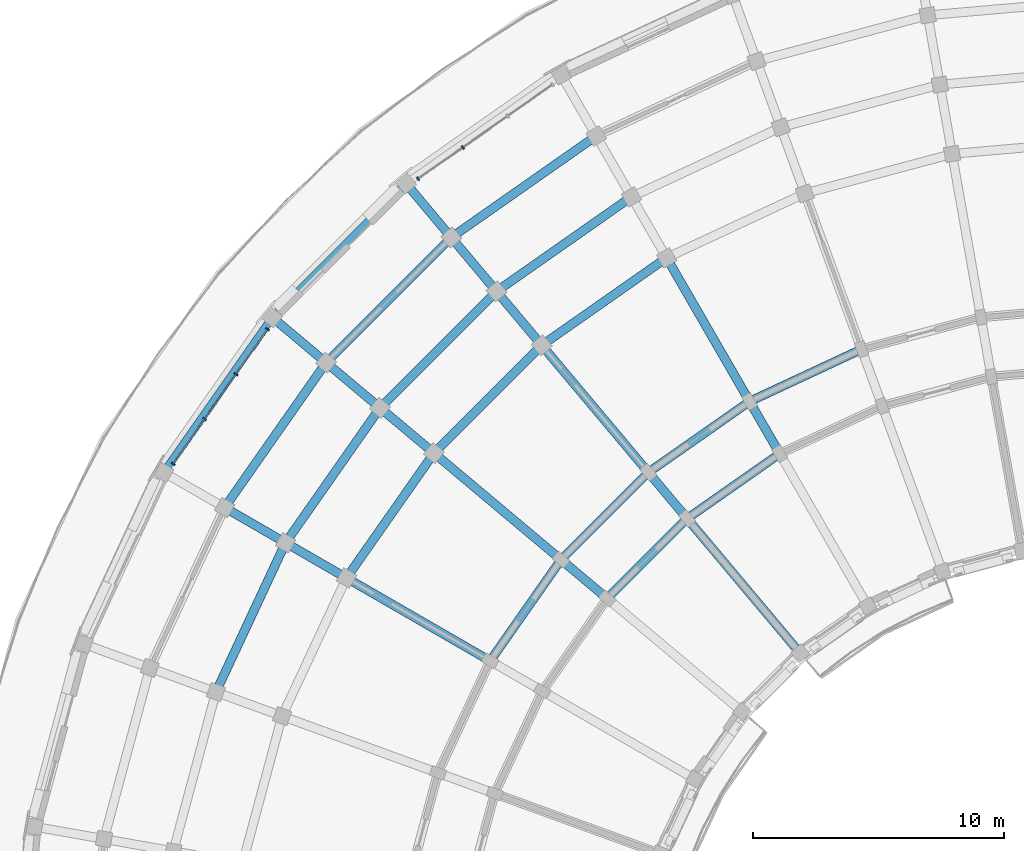
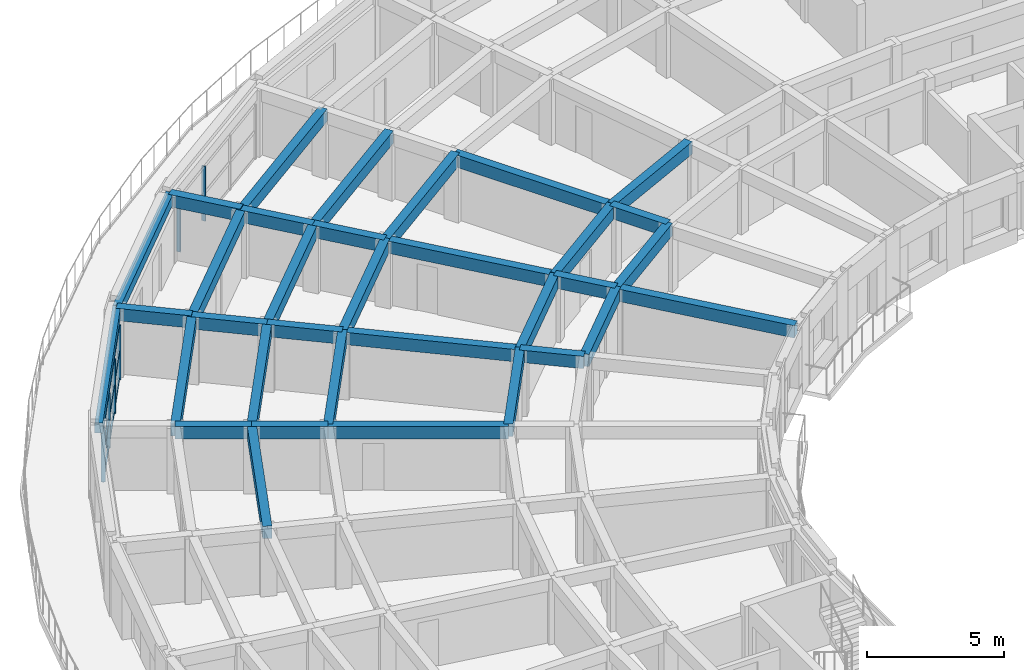
# One storey, part 4 of 32: 34 beams, 9 members, 2 elements without a shape of their own.
"""IFC4 building model written with IfcOpenShell, lengths in metres."""

import ifcopenshell
import ifcopenshell.guid

model = None  # the IFC model being written
_history = None  # IfcOwnerHistory: only IFC2X3 demands one
_inside = {}  # id of a spatial element -> (the spatial element, [elements in it])
_under = {}  # id of a project, library or spatial element -> (it, [spatial elements below it])
_declared = {}  # id of a project -> (the project, [libraries it declares])
_typed = {}  # id of a type object -> (the type object, [elements of that type])
_made_of = {}  # id of a material, layer set ... -> (it, [elements and type objects made of it])


def new_model(schema):
    """Start an empty IFC model of exactly this schema.

    Asked for "IFC4X3", IfcOpenShell would pick the latest addendum, in which some entities
    have other attributes; the version numbers below select the first issue.
    IFC2X3 requires an IfcOwnerHistory on every rooted entity: one is made here for all.
    """
    global model, _history
    if schema == "IFC4X3":
        model = ifcopenshell.file(schema_version=(4, 3, 0, 0))
    else:
        model = ifcopenshell.file(schema=schema)
    _inside.clear()
    _under.clear()
    _declared.clear()
    _typed.clear()
    _made_of.clear()
    _history = None
    if model.schema == "IFC2X3":
        org = make("IfcOrganization", Name="unknown")
        user = make(
            "IfcPersonAndOrganization",
            ThePerson=make("IfcPerson", FamilyName="unknown"),
            TheOrganization=org,
        )
        app = make(
            "IfcApplication",
            ApplicationDeveloper=org,
            Version="unknown",
            ApplicationFullName="unknown",
            ApplicationIdentifier="unknown",
        )
        _history = make(
            "IfcOwnerHistory",
            OwningUser=user,
            OwningApplication=app,
            ChangeAction="ADDED",
            CreationDate=0,
        )
    return model


def make(cls, **values):
    """One entity of the class cls with the attributes given. An attribute that is None is left unset."""
    return model.create_entity(
        cls, **{name: value for name, value in values.items() if value is not None}
    )


def rooted(cls, **values):
    """An entity with a GlobalId (a new one), such as an element, a storey or a relation."""
    return make(cls, GlobalId=ifcopenshell.guid.new(), OwnerHistory=_history, **values)


def si_unit(unit_type, name, prefix=None):
    """IfcSIUnit, for example si_unit("LENGTHUNIT", "METRE", prefix="MILLI")."""
    return make("IfcSIUnit", UnitType=unit_type, Prefix=prefix, Name=name)


def assignment(units):
    """IfcUnitAssignment: the units of a project."""
    return None if units is None else make("IfcUnitAssignment", Units=units)


def point(xyz):
    """IfcCartesianPoint."""
    return None if xyz is None else make("IfcCartesianPoint", Coordinates=xyz)


def direction(xyz):
    """IfcDirection."""
    return None if xyz is None else make("IfcDirection", DirectionRatios=xyz)


def frame(location, z_axis=None, x_axis=None):
    """IfcAxis2Placement3D, a coordinate frame: its origin and axes. An axis left out is left unset."""
    return make(
        "IfcAxis2Placement3D",
        Location=point(location),
        Axis=direction(z_axis),
        RefDirection=direction(x_axis),
    )


def frame_2d(location, x_axis=None):
    """IfcAxis2Placement2D, a coordinate frame in the plane: its origin and x axis."""
    return make(
        "IfcAxis2Placement2D", Location=point(location), RefDirection=direction(x_axis)
    )


def origin():
    """The frame at (0, 0, 0) with its axes left unset."""
    return frame((0.0, 0.0, 0.0))


def origin_2d():
    """The frame at (0, 0) in the plane with its x axis left unset."""
    return frame_2d((0.0, 0.0))


def place(relative_to, where):
    """IfcLocalPlacement: puts the frame where relative to a parent placement (None: the world)."""
    return make(
        "IfcLocalPlacement", PlacementRelTo=relative_to, RelativePlacement=where
    )


def context(
    kind, dimensions, precision=None, world=None, true_north=None, identifier=None
):
    """IfcGeometricRepresentationContext, for example the 3D "Model" context."""
    return make(
        "IfcGeometricRepresentationContext",
        ContextIdentifier=identifier,
        ContextType=kind,
        CoordinateSpaceDimension=dimensions,
        Precision=precision,
        WorldCoordinateSystem=world,
        TrueNorth=true_north,
    )


def subcontext(parent, identifier, kind, view, scale=None):
    """IfcGeometricRepresentationSubContext, for example "Body" below "Model"."""
    return make(
        "IfcGeometricRepresentationSubContext",
        ContextIdentifier=identifier,
        ContextType=kind,
        ParentContext=parent,
        TargetScale=scale,
        TargetView=view,
    )


def project(units=None, contexts=None):
    """IfcProject with its units and contexts."""
    return rooted(
        "IfcProject",
        Name="project",
        RepresentationContexts=contexts,
        UnitsInContext=assignment(units),
    )


def spatial(cls, under=None, at=None, **own):
    """A site, building, storey or space (cls), placed at a placement, below another one or the project."""
    s = rooted(cls, ObjectPlacement=at, **own)
    if under is not None:
        _under.setdefault(under.id(), (under, []))[1].append(s)
    return s


def profile(cls, at=None, kind="AREA", **sizes):
    """A parametric profile (cls). Its sizes go by their IFC names, for example OverallWidth=200.0."""
    return make(cls, ProfileType=kind, Position=at, **sizes)


def rectangle(**sizes):
    """IfcRectangleProfileDef."""
    return profile("IfcRectangleProfileDef", **sizes)


def extrude(swept, where, along, depth):
    """IfcExtrudedAreaSolid: the profile swept, set in the frame where, extruded along a direction by depth."""
    return make(
        "IfcExtrudedAreaSolid",
        SweptArea=swept,
        Position=where,
        ExtrudedDirection=direction(along),
        Depth=depth,
    )


def shape(context_of_items, identifier, shape_type, items):
    """IfcShapeRepresentation: the items that make up one representation, for example the "Body"."""
    return make(
        "IfcShapeRepresentation",
        ContextOfItems=context_of_items,
        RepresentationIdentifier=identifier,
        RepresentationType=shape_type,
        Items=items,
    )


def material(Name=None, Category=None):
    """IfcMaterial."""
    return make("IfcMaterial", Name=Name, Category=Category)


def material_profile(
    of_material, cross_section, Name=None, Category=None, Priority=None
):
    """IfcMaterialProfile: a cross section and its material."""
    return make(
        "IfcMaterialProfile",
        Name=Name,
        Material=of_material,
        Profile=cross_section,
        Priority=Priority,
        Category=Category,
    )


def profile_set(profiles, Name=None, composite=None):
    """IfcMaterialProfileSet."""
    return make(
        "IfcMaterialProfileSet",
        Name=Name,
        MaterialProfiles=profiles,
        CompositeProfile=composite,
    )


def made_of(thing, what):
    """Note that an element or type object is made of a material, layer set ...; save() writes the relation."""
    if what is not None:
        _made_of.setdefault(what.id(), (what, []))[1].append(thing)
    return thing


def type_object(cls, material=None, **own):
    """A type object (cls), such as IfcWallType, which elements share."""
    return made_of(rooted(cls, **own), material)


def element(
    cls,
    number,
    at=None,
    inside=None,
    cuts=None,
    type_object=None,
    material=None,
    context=None,
    identifier="Body",
    shape_type=None,
    held_by="IfcProductDefinitionShape",
    body=None,
    shapes=None,
    **own,
):
    """One element of the class cls, such as IfcWall. Its Tag is "e" and its number.

    at: its placement. inside: the storey or other place that contains it. cuts: it is an
    opening in that element (IfcRelVoidsElement). A single representation is given by context,
    identifier, shape_type and body (its items); several are given by shapes. held_by: the class
    of the entity that holds the representations. save() writes the other relations.
    """
    e = rooted(cls, Tag="e%d" % number, ObjectPlacement=at, **own)
    if body is not None:
        shapes = [shape(context, identifier, shape_type, body)]
    if shapes is not None:
        e.Representation = make(held_by, Representations=shapes)
    if inside is not None:
        _inside.setdefault(inside.id(), (inside, []))[1].append(e)
    if cuts is not None:
        rooted(
            "IfcRelVoidsElement", RelatingBuildingElement=cuts, RelatedOpeningElement=e
        )
    if type_object is not None:
        _typed.setdefault(type_object.id(), (type_object, []))[1].append(e)
    return made_of(e, material)


def aggregate(whole, parts):
    """IfcRelAggregates: a whole, such as a stair, and the parts it consists of."""
    return rooted("IfcRelAggregates", RelatingObject=whole, RelatedObjects=parts)


def save(model, path):
    """Write the relations noted so far, then the file.

    IfcRelAggregates (storeys below a building ...), IfcRelContainedInSpatialStructure (elements
    in a storey), IfcRelDefinesByType, IfcRelAssociatesMaterial and IfcRelDeclares: one each for
    every whole, place, type object, material and project.
    """
    for whole, parts in _under.values():
        aggregate(whole, parts)
    for where, things in _inside.values():
        rooted(
            "IfcRelContainedInSpatialStructure",
            RelatedElements=things,
            RelatingStructure=where,
        )
    for kind, things in _typed.values():
        rooted("IfcRelDefinesByType", RelatedObjects=things, RelatingType=kind)
    for what, things in _made_of.values():
        rooted("IfcRelAssociatesMaterial", RelatedObjects=things, RelatingMaterial=what)
    for by, libraries in _declared.values():
        rooted("IfcRelDeclares", RelatingContext=by, RelatedDefinitions=libraries)
    model.write(path)


model = new_model("IFC4")

# Units and contexts
model_context = context("Model", 3, precision=1e-05, world=origin(), true_north=direction((0.0, 1.0)))
body_context = subcontext(model_context, "Body", "Model", "MODEL_VIEW")
ifc_project = project(units=[si_unit("LENGTHUNIT", "METRE"), si_unit("AREAUNIT", "SQUARE_METRE"), si_unit("VOLUMEUNIT", "CUBIC_METRE"), si_unit("PLANEANGLEUNIT", "RADIAN"), si_unit("MASSUNIT", "GRAM", prefix="KILO")], contexts=[model_context])

# Site, building, storey
site_placement = place(None, origin())
site = spatial("IfcSite", under=ifc_project, at=site_placement, CompositionType="ELEMENT")
building_placement = place(site_placement, origin())
building = spatial("IfcBuilding", under=site, at=building_placement, Name="Kiranvali Square Residences", CompositionType="ELEMENT")
storey_placement = place(building_placement, frame((0.0, 0.0, 40.199951171875)))
storey = spatial("IfcBuildingStorey", under=building, at=storey_placement, Name="L12", CompositionType="ELEMENT", Elevation=40.199951171875)

# Beams
ifc_material_1 = material(Name="Concrete M40 (40 MPa)", Category="concrete")
ifc_material_profile_1 = material_profile(ifc_material_1, rectangle(XDim=0.35009765625, YDim=0.550048828125, at=origin_2d()), Name="RC 350x550")
ifc_profile_set_1 = profile_set([ifc_material_profile_1], Name="Concrete M40 (40 MPa)")
beam_type_1 = type_object("IfcBeamType", Name="BM-M40-350x550", PredefinedType="BEAM", material=ifc_profile_set_1)
beam_1_placement = place(storey_placement, frame((38.554931640625, 114.29931640625, 2.655029296875), z_axis=(-0.906302381024, -0.422629854778, 0.0), x_axis=(0.422629854778, -0.906302381024, 0.0)))
element("IfcBeam", 1, at=beam_1_placement, inside=storey, type_object=beam_type_1, Name="L12 beam BM-A-L12-C02-R2", PredefinedType="BEAM", context=body_context, shape_type="SweptSolid", body=[
    extrude(rectangle(XDim=0.35009765625, YDim=0.550048828125, at=origin_2d()), origin(), (0.0, 0.0, 1.0), 4.915283203125),
])
beam_2_placement = place(storey_placement, frame((35.300048828125, 110.1435546875, 2.655029296875), z_axis=(-0.819155404658, -0.573571637217, 0.0), x_axis=(0.573571637217, -0.819155404658, 0.0)))
element("IfcBeam", 2, at=beam_2_placement, inside=storey, type_object=beam_type_1, Name="L12 beam BM-A-L12-C03-R1", PredefinedType="BEAM", context=body_context, shape_type="SweptSolid", body=[
    extrude(rectangle(XDim=0.35009765625, YDim=0.550048828125, at=origin_2d()), origin(), (0.0, 0.0, 1.0), 4.497314453125),
])
beam_3_placement = place(storey_placement, frame((34.10009765625, 112.221923828125, 2.655029296875), z_axis=(-0.819140911474, -0.573592335331, 0.0), x_axis=(0.573592335331, -0.819140911474, 0.0)))
element("IfcBeam", 3, at=beam_3_placement, inside=storey, type_object=beam_type_1, Name="L12 beam BM-A-L12-C03-R2", PredefinedType="BEAM", context=body_context, shape_type="SweptSolid", body=[
    extrude(rectangle(XDim=0.35009765625, YDim=0.550048828125, at=origin_2d()), origin(), (0.0, 0.0, 1.0), 4.915771484375),
])
beam_4_placement = place(storey_placement, frame((30.800048828125, 117.937744140625, 2.655029296875), z_axis=(-0.81913926159, -0.573594691504, 0.0), x_axis=(0.573594691504, -0.81913926159, 0.0)))
element("IfcBeam", 4, at=beam_4_placement, inside=storey, type_object=beam_type_1, Name="L12 beam BM-A-L12-C03-R3", PredefinedType="BEAM", context=body_context, shape_type="SweptSolid", body=[
    extrude(rectangle(XDim=0.35009765625, YDim=0.550048828125, at=origin_2d()), origin(), (0.0, 0.0, 1.0), 6.066162109375),
])
beam_5_placement = place(storey_placement, frame((29.39990234375, 120.362548828125, 2.655029296875), z_axis=(-0.819144409176, -0.573587340268, 0.0), x_axis=(0.573587340268, -0.819144409176, 0.0)))
element("IfcBeam", 5, at=beam_5_placement, inside=storey, type_object=beam_type_1, Name="L12 beam BM-A-L12-C03-R4", PredefinedType="BEAM", context=body_context, shape_type="SweptSolid", body=[
    extrude(rectangle(XDim=0.35009765625, YDim=0.550048828125, at=origin_2d()), origin(), (0.0, 0.0, 1.0), 6.553955078125),
])
beam_6_placement = place(storey_placement, frame((28.0, 122.787353515625, 2.655029296875), z_axis=(-0.819160249246, -0.57356471828, 0.0), x_axis=(0.57356471828, -0.819160249246, 0.0)))
element("IfcBeam", 6, at=beam_6_placement, inside=storey, type_object=beam_type_1, Name="L12 beam BM-A-L12-C03-R5", PredefinedType="BEAM", context=body_context, shape_type="SweptSolid", body=[
    extrude(rectangle(XDim=0.35009765625, YDim=0.550048828125, at=origin_2d()), origin(), (0.0, 0.0, 1.0), 7.0419921875),
])
beam_7_placement = place(storey_placement, frame((31.615966796875, 107.56396484375, 2.655029296875), z_axis=(-0.707106781187, -0.707106781187, 0.0), x_axis=(0.707106781187, -0.707106781187, 0.0)))
element("IfcBeam", 7, at=beam_7_placement, inside=storey, type_object=beam_type_1, Name="L12 beam BM-A-L12-C04-R1", PredefinedType="BEAM", context=body_context, shape_type="SweptSolid", body=[
    extrude(rectangle(XDim=0.35009765625, YDim=0.550048828125, at=origin_2d()), origin(), (0.0, 0.0, 1.0), 4.4970703125),
])
beam_8_placement = place(storey_placement, frame((30.073486328125, 109.40234375, 2.655029296875), z_axis=(-0.707106781187, -0.707106781187, 0.0), x_axis=(0.707106781187, -0.707106781187, 0.0)))
element("IfcBeam", 8, at=beam_8_placement, inside=storey, type_object=beam_type_1, Name="L12 beam BM-A-L12-C04-R2", PredefinedType="BEAM", context=body_context, shape_type="SweptSolid", body=[
    extrude(rectangle(XDim=0.35009765625, YDim=0.550048828125, at=origin_2d()), origin(), (0.0, 0.0, 1.0), 4.91552734375),
])
beam_9_placement = place(storey_placement, frame((25.8310546875, 114.458251953125, 2.655029296875), z_axis=(-0.707106781187, -0.707106781187, 0.0), x_axis=(0.707106781187, -0.707106781187, 0.0)))
element("IfcBeam", 9, at=beam_9_placement, inside=storey, type_object=beam_type_1, Name="L12 beam BM-A-L12-C04-R3", PredefinedType="BEAM", context=body_context, shape_type="SweptSolid", body=[
    extrude(rectangle(XDim=0.35009765625, YDim=0.550048828125, at=origin_2d()), origin(), (0.0, 0.0, 1.0), 6.06591796875),
])
beam_10_placement = place(storey_placement, frame((24.03125, 116.603271484375, 2.655029296875), z_axis=(-0.707106781187, -0.707106781187, 0.0), x_axis=(0.707106781187, -0.707106781187, 0.0)))
element("IfcBeam", 10, at=beam_10_placement, inside=storey, type_object=beam_type_1, Name="L12 beam BM-A-L12-C04-R4", PredefinedType="BEAM", context=body_context, shape_type="SweptSolid", body=[
    extrude(rectangle(XDim=0.35009765625, YDim=0.550048828125, at=origin_2d()), origin(), (0.0, 0.0, 1.0), 6.55419921875),
])
beam_11_placement = place(storey_placement, frame((22.2314453125, 118.748291015625, 2.655029296875), z_axis=(-0.707106781187, -0.707106781187, 0.0), x_axis=(0.707106781187, -0.707106781187, 0.0)))
element("IfcBeam", 11, at=beam_11_placement, inside=storey, type_object=beam_type_1, Name="L12 beam BM-A-L12-C04-R5", PredefinedType="BEAM", context=body_context, shape_type="SweptSolid", body=[
    extrude(rectangle(XDim=0.35009765625, YDim=0.550048828125, at=origin_2d()), origin(), (0.0, 0.0, 1.0), 7.04248046875),
])
beam_12_placement = place(storey_placement, frame((26.59765625, 105.926513671875, 2.655029296875), z_axis=(-0.573592335331, -0.819140911474, 0.0), x_axis=(0.819140911474, -0.573592335331, 0.0)))
element("IfcBeam", 12, at=beam_12_placement, inside=storey, type_object=beam_type_1, Name="L12 beam BM-A-L12-C05-R2", PredefinedType="BEAM", context=body_context, shape_type="SweptSolid", body=[
    extrude(rectangle(XDim=0.35009765625, YDim=0.550048828125, at=origin_2d()), origin(), (0.0, 0.0, 1.0), 4.915771484375),
])
beam_13_placement = place(storey_placement, frame((21.541748046875, 110.1689453125, 2.655029296875), z_axis=(-0.573594691504, -0.81913926159, 0.0), x_axis=(0.81913926159, -0.573594691504, 0.0)))
element("IfcBeam", 13, at=beam_13_placement, inside=storey, type_object=beam_type_1, Name="L12 beam BM-A-L12-C05-R3", PredefinedType="BEAM", context=body_context, shape_type="SweptSolid", body=[
    extrude(rectangle(XDim=0.35009765625, YDim=0.550048828125, at=origin_2d()), origin(), (0.0, 0.0, 1.0), 6.066162109375),
])
beam_14_placement = place(storey_placement, frame((19.396728515625, 111.96875, 2.655029296875), z_axis=(-0.573587340268, -0.819144409176, 0.0), x_axis=(0.819144409176, -0.573587340268, 0.0)))
element("IfcBeam", 14, at=beam_14_placement, inside=storey, type_object=beam_type_1, Name="L12 beam BM-A-L12-C05-R4", PredefinedType="BEAM", context=body_context, shape_type="SweptSolid", body=[
    extrude(rectangle(XDim=0.35009765625, YDim=0.550048828125, at=origin_2d()), origin(), (0.0, 0.0, 1.0), 6.553955078125),
])
beam_15_placement = place(storey_placement, frame((17.251708984375, 113.7685546875, 2.655029296875), z_axis=(-0.57356471828, -0.819160249246, 0.0), x_axis=(0.819160249246, -0.57356471828, 0.0)))
element("IfcBeam", 15, at=beam_15_placement, inside=storey, type_object=beam_type_1, Name="L12 beam BM-A-L12-C05-R5", PredefinedType="BEAM", context=body_context, shape_type="SweptSolid", body=[
    extrude(rectangle(XDim=0.35009765625, YDim=0.550048828125, at=origin_2d()), origin(), (0.0, 0.0, 1.0), 7.0419921875),
])
beam_16_placement = place(storey_placement, frame((15.637451171875, 106.60009765625, 2.655029296875), z_axis=(-0.422595876255, -0.906318225223, 0.0), x_axis=(0.906318225223, -0.422595876255, 0.0)))
element("IfcBeam", 16, at=beam_16_placement, inside=storey, type_object=beam_type_1, Name="L12 beam BM-A-L12-C06-R4", PredefinedType="BEAM", context=body_context, shape_type="SweptSolid", body=[
    extrude(rectangle(XDim=0.35009765625, YDim=0.550048828125, at=origin_2d()), origin(), (0.0, 0.0, 1.0), 6.55419921875),
])
beam_17_placement = place(storey_placement, frame((35.300048828125, 110.1435546875, 2.655029296875), z_axis=(-0.500001309137, 0.866024647952, 0.0), x_axis=(-0.866024647952, -0.500001309137, 0.0)))
element("IfcBeam", 17, at=beam_17_placement, inside=storey, type_object=beam_type_1, Name="L12 beam BM-A-L12-RAD03-12", PredefinedType="BEAM", context=body_context, shape_type="SweptSolid", body=[
    extrude(rectangle(XDim=0.35009765625, YDim=0.550048828125, at=origin_2d()), origin(), (0.0, 0.0, 1.0), 2.39990234375),
])
beam_18_placement = place(storey_placement, frame((34.10009765625, 112.221923828125, 2.655029296875), z_axis=(-0.500002094529, 0.866024194504, 0.0), x_axis=(-0.866024194504, -0.500002094529, 0.0)))
element("IfcBeam", 18, at=beam_18_placement, inside=storey, type_object=beam_type_1, Name="L12 beam BM-A-L12-RAD03-23", PredefinedType="BEAM", context=body_context, shape_type="SweptSolid", body=[
    extrude(rectangle(XDim=0.35009765625, YDim=0.550048828125, at=origin_2d()), origin(), (0.0, 0.0, 1.0), 6.60009765625),
])
beam_19_placement = place(storey_placement, frame((36.115478515625, 102.20166015625, 2.655029296875), z_axis=(-0.642787931032, 0.766044173478, 0.0), x_axis=(-0.766044173478, -0.642787931032, 0.0)))
element("IfcBeam", 19, at=beam_19_placement, inside=storey, type_object=beam_type_1, Name="L12 beam BM-A-L12-RAD04-01", PredefinedType="BEAM", context=body_context, shape_type="SweptSolid", body=[
    extrude(rectangle(XDim=0.35009765625, YDim=0.550048828125, at=origin_2d()), origin(), (0.0, 0.0, 1.0), 7.0),
])
beam_20_placement = place(storey_placement, frame((31.615966796875, 107.56396484375, 2.655029296875), z_axis=(-0.642762521781, 0.766065493671, 0.0), x_axis=(-0.766065493671, -0.642762521781, 0.0)))
element("IfcBeam", 20, at=beam_20_placement, inside=storey, type_object=beam_type_1, Name="L12 beam BM-A-L12-RAD04-12", PredefinedType="BEAM", context=body_context, shape_type="SweptSolid", body=[
    extrude(rectangle(XDim=0.35009765625, YDim=0.550048828125, at=origin_2d()), origin(), (0.0, 0.0, 1.0), 2.399658203125),
])
beam_21_placement = place(storey_placement, frame((30.073486328125, 109.40234375, 2.655029296875), z_axis=(-0.642789470807, 0.766042881449, 0.0), x_axis=(-0.766042881449, -0.642789470807, 0.0)))
element("IfcBeam", 21, at=beam_21_placement, inside=storey, type_object=beam_type_1, Name="L12 beam BM-A-L12-RAD04-23", PredefinedType="BEAM", context=body_context, shape_type="SweptSolid", body=[
    extrude(rectangle(XDim=0.35009765625, YDim=0.550048828125, at=origin_2d()), origin(), (0.0, 0.0, 1.0), 6.60009765625),
])
for number, where, z_axis, x_axis, name in (
    (22, (25.8310546875, 114.458251953125, 2.655029296875), (-0.642770757628, 0.766058583359, 0.0), (-0.766058583359, -0.642770757628, 0.0), "L12 beam BM-A-L12-RAD04-34"),
    (23, (24.03125, 116.603271484375, 2.655029296875), (-0.642770757628, 0.766058583359, 0.0), (-0.766058583359, -0.642770757628, 0.0), "L12 beam BM-A-L12-RAD04-45"),
):
    element("IfcBeam", number, at=place(storey_placement, frame(where, z_axis=z_axis, x_axis=x_axis)), inside=storey, type_object=beam_type_1, Name=name, PredefinedType="BEAM", context=body_context, shape_type="SweptSolid", body=[
        extrude(rectangle(XDim=0.35009765625, YDim=0.550048828125, at=origin_2d()), origin(), (0.0, 0.0, 1.0), 2.800048828125),
    ])
beam_22_placement = place(storey_placement, frame((22.2314453125, 118.748291015625, 2.695068359375), z_axis=(-0.642813692253, 0.76602255649, 0.0), x_axis=(-0.76602255649, -0.642813692253, 0.0)))
element("IfcBeam", 24, at=beam_22_placement, inside=storey, type_object=beam_type_1, Name="L12 beam BM-A-L12-RAD04-56", PredefinedType="BEAM", context=body_context, shape_type="SweptSolid", body=[
    extrude(rectangle(XDim=0.35009765625, YDim=0.550048828125, at=origin_2d()), origin(), (0.0, 0.0, 1.0), 2.7998046875),
])
beam_23_placement = place(storey_placement, frame((28.43603515625, 104.384033203125, 2.655029296875), z_axis=(-0.766065493671, 0.642762521781, 0.0), x_axis=(-0.642762521781, -0.766065493671, 0.0)))
element("IfcBeam", 25, at=beam_23_placement, inside=storey, type_object=beam_type_1, Name="L12 beam BM-A-L12-RAD05-12", PredefinedType="BEAM", context=body_context, shape_type="SweptSolid", body=[
    extrude(rectangle(XDim=0.35009765625, YDim=0.550048828125, at=origin_2d()), origin(), (0.0, 0.0, 1.0), 2.399658203125),
])
beam_24_placement = place(storey_placement, frame((26.59765625, 105.926513671875, 2.655029296875), z_axis=(-0.766042881449, 0.642789470807, 0.0), x_axis=(-0.642789470807, -0.766042881449, 0.0)))
element("IfcBeam", 26, at=beam_24_placement, inside=storey, type_object=beam_type_1, Name="L12 beam BM-A-L12-RAD05-23", PredefinedType="BEAM", context=body_context, shape_type="SweptSolid", body=[
    extrude(rectangle(XDim=0.35009765625, YDim=0.550048828125, at=origin_2d()), origin(), (0.0, 0.0, 1.0), 6.60009765625),
])
for number, where, z_axis, x_axis, name in (
    (27, (21.541748046875, 110.1689453125, 2.655029296875), (-0.766058583359, 0.642770757628, 0.0), (-0.642770757628, -0.766058583359, 0.0), "L12 beam BM-A-L12-RAD05-34"),
    (28, (19.396728515625, 111.96875, 2.655029296875), (-0.766058583359, 0.642770757628, 0.0), (-0.642770757628, -0.766058583359, 0.0), "L12 beam BM-A-L12-RAD05-45"),
):
    element("IfcBeam", number, at=place(storey_placement, frame(where, z_axis=z_axis, x_axis=x_axis)), inside=storey, type_object=beam_type_1, Name=name, PredefinedType="BEAM", context=body_context, shape_type="SweptSolid", body=[
        extrude(rectangle(XDim=0.35009765625, YDim=0.550048828125, at=origin_2d()), origin(), (0.0, 0.0, 1.0), 2.800048828125),
    ])
beam_25_placement = place(storey_placement, frame((17.251708984375, 113.7685546875, 2.695068359375), z_axis=(-0.76602255649, 0.642813692253, 0.0), x_axis=(-0.642813692253, -0.76602255649, 0.0)))
element("IfcBeam", 29, at=beam_25_placement, inside=storey, type_object=beam_type_1, Name="L12 beam BM-A-L12-RAD05-56", PredefinedType="BEAM", context=body_context, shape_type="SweptSolid", body=[
    extrude(rectangle(XDim=0.35009765625, YDim=0.550048828125, at=origin_2d()), origin(), (0.0, 0.0, 1.0), 2.7998046875),
])
beam_26_placement = place(storey_placement, frame((23.778076171875, 101.89990234375, 2.655029296875), z_axis=(-0.866024194504, 0.500002094529, 0.0), x_axis=(-0.500002094529, -0.866024194504, 0.0)))
element("IfcBeam", 30, at=beam_26_placement, inside=storey, type_object=beam_type_1, Name="L12 beam BM-A-L12-RAD06-23", PredefinedType="BEAM", context=body_context, shape_type="SweptSolid", body=[
    extrude(rectangle(XDim=0.35009765625, YDim=0.550048828125, at=origin_2d()), origin(), (0.0, 0.0, 1.0), 6.60009765625),
])
beam_27_placement = place(storey_placement, frame((18.062255859375, 105.199951171875, 2.655029296875), z_axis=(-0.865996816683, 0.500049511043, 0.0), x_axis=(-0.500049511043, -0.865996816683, 0.0)))
element("IfcBeam", 31, at=beam_27_placement, inside=storey, type_object=beam_type_1, Name="L12 beam BM-A-L12-RAD06-34", PredefinedType="BEAM", context=body_context, shape_type="SweptSolid", body=[
    extrude(rectangle(XDim=0.35009765625, YDim=0.550048828125, at=origin_2d()), origin(), (0.0, 0.0, 1.0), 2.800048828125),
])
beam_28_placement = place(storey_placement, frame((15.637451171875, 106.60009765625, 2.655029296875), z_axis=(-0.866034573852, 0.49998411664, 0.0), x_axis=(-0.49998411664, -0.866034573852, 0.0)))
element("IfcBeam", 32, at=beam_28_placement, inside=storey, type_object=beam_type_1, Name="L12 beam BM-A-L12-RAD06-45", PredefinedType="BEAM", context=body_context, shape_type="SweptSolid", body=[
    extrude(rectangle(XDim=0.35009765625, YDim=0.550048828125, at=origin_2d()), origin(), (0.0, 0.0, 1.0), 2.7998046875),
])

# Curtain wall, members
ifc_material_2 = material(Name="Anodised bronze aluminium framing", Category="aluminium")
curtain_wall_type = type_object("IfcCurtainWallType", Name="CW-RES-LOG", PredefinedType="USERDEFINED", material=ifc_material_2)
curtain_wall_1_placement = place(storey_placement, origin())
curtain_wall_1 = element("IfcCurtainWall", 33, at=curtain_wall_1_placement, inside=storey, type_object=curtain_wall_type, Name="Block A L12 stepped curved terrace loggia 4", ObjectType="CURTAIN WALL", PredefinedType="USERDEFINED")
ifc_material_profile_2 = material_profile(ifc_material_2, rectangle(XDim=0.06494140625, YDim=0.159912109375, at=origin_2d()), Name="ALU 65x160")
ifc_profile_set_2 = profile_set([ifc_material_profile_2], Name="Anodised bronze aluminium framing")
member_type_1 = type_object("IfcMemberType", Name="CW-MUL-160", PredefinedType="MULLION", material=ifc_profile_set_2)
member_1_placement = place(storey_placement, frame((22.693115234375, 122.330078125, 0.02001953125), z_axis=(0.0, 0.0, 1.0), x_axis=(-0.819152044289, -0.573576436351, 0.0)))
member_1 = element("IfcMember", 34, at=member_1_placement, type_object=member_type_1, Name="CW-A-L12-TER-03 vertical mullion 3", PredefinedType="MULLION", context=body_context, shape_type="SweptSolid", body=[
    extrude(rectangle(XDim=0.06494140625, YDim=0.159912109375, at=origin_2d()), origin(), (0.0, 0.0, 1.0), 2.43994140625),
])
member_2_placement = place(storey_placement, frame((20.909912109375, 121.08154296875, 0.02001953125), z_axis=(0.0, 0.0, 1.0), x_axis=(-0.819152044289, -0.573576436351, 0.0)))
member_2 = element("IfcMember", 35, at=member_2_placement, type_object=member_type_1, Name="CW-A-L12-TER-03 vertical mullion 4", PredefinedType="MULLION", context=body_context, shape_type="SweptSolid", body=[
    extrude(rectangle(XDim=0.06494140625, YDim=0.159912109375, at=origin_2d()), origin(), (0.0, 0.0, 1.0), 2.43994140625),
])
aggregate(curtain_wall_1, [member_1, member_2])

curtain_wall_2_placement = place(storey_placement, origin())
curtain_wall_2 = element("IfcCurtainWall", 36, at=curtain_wall_2_placement, inside=storey, type_object=curtain_wall_type, Name="Block A L12 stepped curved terrace loggia 6", ObjectType="CURTAIN WALL", PredefinedType="USERDEFINED")
member_3_placement = place(storey_placement, frame((14.91845703125, 115.090087890625, 0.02001953125), z_axis=(0.0, 0.0, 1.0), x_axis=(-0.573576436351, -0.819152044289, 0.0)))
member_3 = element("IfcMember", 37, at=member_3_placement, type_object=member_type_1, Name="CW-A-L12-TER-05 vertical mullion 1", PredefinedType="MULLION", context=body_context, shape_type="SweptSolid", body=[
    extrude(rectangle(XDim=0.06494140625, YDim=0.159912109375, at=origin_2d()), origin(), (0.0, 0.0, 1.0), 2.43994140625),
])
member_4_placement = place(storey_placement, frame((13.669921875, 113.306884765625, 0.02001953125), z_axis=(0.0, 0.0, 1.0), x_axis=(-0.573576436351, -0.819152044289, 0.0)))
member_4 = element("IfcMember", 38, at=member_4_placement, type_object=member_type_1, Name="CW-A-L12-TER-05 vertical mullion 2", PredefinedType="MULLION", context=body_context, shape_type="SweptSolid", body=[
    extrude(rectangle(XDim=0.06494140625, YDim=0.159912109375, at=origin_2d()), origin(), (0.0, 0.0, 1.0), 2.43994140625),
])
member_5_placement = place(storey_placement, frame((12.42138671875, 111.52392578125, 0.02001953125), z_axis=(0.0, 0.0, 1.0), x_axis=(-0.573576436351, -0.819152044289, 0.0)))
member_5 = element("IfcMember", 39, at=member_5_placement, type_object=member_type_1, Name="CW-A-L12-TER-05 vertical mullion 3", PredefinedType="MULLION", context=body_context, shape_type="SweptSolid", body=[
    extrude(rectangle(XDim=0.06494140625, YDim=0.159912109375, at=origin_2d()), origin(), (0.0, 0.0, 1.0), 2.43994140625),
])
member_6_placement = place(storey_placement, frame((11.1728515625, 109.74072265625, 0.02001953125), z_axis=(0.0, 0.0, 1.0), x_axis=(-0.573576436351, -0.819152044289, 0.0)))
member_6 = element("IfcMember", 40, at=member_6_placement, type_object=member_type_1, Name="CW-A-L12-TER-05 vertical mullion 4", PredefinedType="MULLION", context=body_context, shape_type="SweptSolid", body=[
    extrude(rectangle(XDim=0.06494140625, YDim=0.159912109375, at=origin_2d()), origin(), (0.0, 0.0, 1.0), 2.43994140625),
])
ifc_material_profile_3 = material_profile(ifc_material_2, rectangle(XDim=0.06494140625, YDim=0.139892578125, at=origin_2d()), Name="ALU 65x140")
ifc_profile_set_3 = profile_set([ifc_material_profile_3], Name="Anodised bronze aluminium framing")
member_type_2 = type_object("IfcMemberType", Name="CW-TRN-140", PredefinedType="MULLION", material=ifc_profile_set_3)
member_7_placement = place(storey_placement, frame((14.91259765625, 115.081787109375, 0.0400390625), z_axis=(-0.573585664994, -0.819145582246, 0.0), x_axis=(0.819145582246, -0.573585664994, 0.0)))
member_7 = element("IfcMember", 41, at=member_7_placement, type_object=member_type_2, Name="CW-A-L12-TER-05 horizontal transom 1", PredefinedType="MULLION", context=body_context, shape_type="SweptSolid", body=[
    extrude(rectangle(XDim=0.06494140625, YDim=0.139892578125, at=origin_2d()), origin(), (0.0, 0.0, 1.0), 6.51025390625),
])
member_8_placement = place(storey_placement, frame((14.91259765625, 115.081787109375, 1.239990234375), z_axis=(-0.573585664994, -0.819145582246, 0.0), x_axis=(0.819145582246, -0.573585664994, 0.0)))
member_8 = element("IfcMember", 42, at=member_8_placement, type_object=member_type_2, Name="CW-A-L12-TER-05 horizontal transom 2", PredefinedType="MULLION", context=body_context, shape_type="SweptSolid", body=[
    extrude(rectangle(XDim=0.06494140625, YDim=0.139892578125, at=origin_2d()), origin(), (0.0, 0.0, 1.0), 6.51025390625),
])
member_9_placement = place(storey_placement, frame((14.91259765625, 115.081787109375, 2.43994140625), z_axis=(-0.573585664994, -0.819145582246, 0.0), x_axis=(0.819145582246, -0.573585664994, 0.0)))
member_9 = element("IfcMember", 43, at=member_9_placement, type_object=member_type_2, Name="CW-A-L12-TER-05 horizontal transom 3", PredefinedType="MULLION", context=body_context, shape_type="SweptSolid", body=[
    extrude(rectangle(XDim=0.06494140625, YDim=0.139892578125, at=origin_2d()), origin(), (0.0, 0.0, 1.0), 6.51025390625),
])
aggregate(curtain_wall_2, [member_3, member_4, member_5, member_6, member_7, member_8, member_9])

# Beams
ifc_material_profile_4 = material_profile(ifc_material_1, rectangle(XDim=0.300048828125, YDim=0.449951171875, at=origin_2d()), Name="RC 300x450")
ifc_profile_set_4 = profile_set([ifc_material_profile_4], Name="Concrete M40 (40 MPa)")
beam_type_2 = type_object("IfcBeamType", Name="SPN-M40-300x450", PredefinedType="SPANDREL", material=ifc_profile_set_4)
for number, where, z_axis, x_axis, name in (
    (44, (20.431640625, 120.89306640625, 2.7451171875), (-0.707106781187, -0.707106781187, 0.0), (0.707106781187, -0.707106781187, 0.0), "L12 beam BM-A-L12-C04-R6"),
    (45, (15.10693359375, 115.568359375, 2.7451171875), (-0.573588539275, -0.819143569597, 0.0), (0.819143569597, -0.573588539275, 0.0), "L12 beam BM-A-L12-C05-R6"),
):
    element("IfcBeam", number, at=place(storey_placement, frame(where, z_axis=z_axis, x_axis=x_axis)), inside=storey, type_object=beam_type_2, Name=name, PredefinedType="SPANDREL", context=body_context, shape_type="SweptSolid", body=[
        extrude(rectangle(XDim=0.300048828125, YDim=0.449951171875, at=origin_2d()), origin(), (0.0, 0.0, 1.0), 7.5302734375),
    ])

save(model, "model.ifc")
